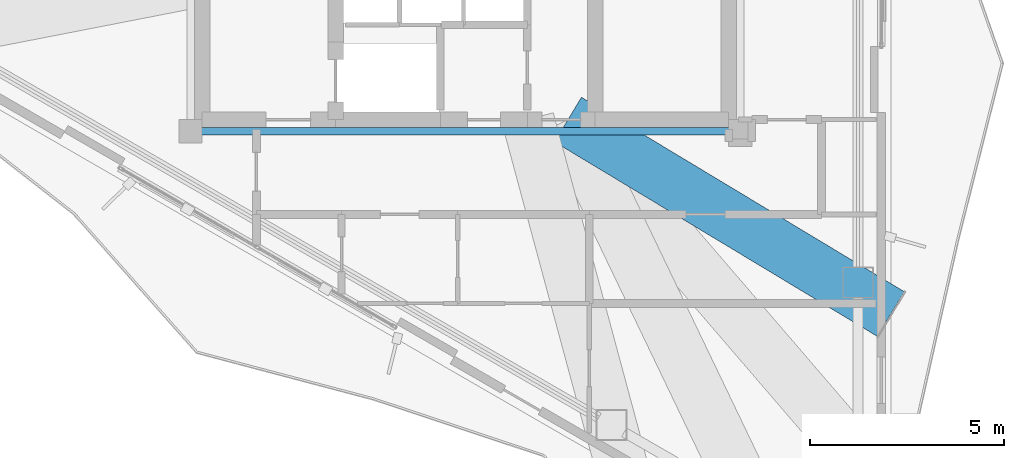
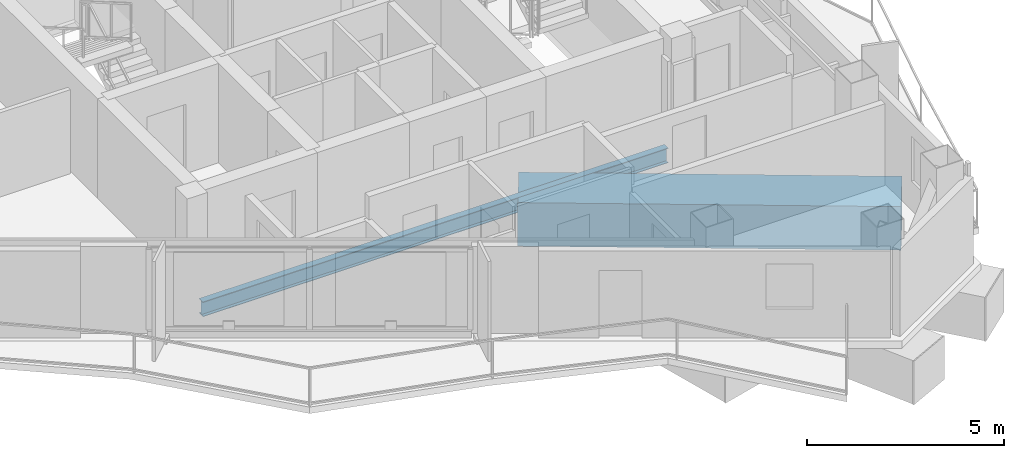
# One storey, part 5 of 17: 2 beams.
"""IFC4 building model written with IfcOpenShell, lengths in metres."""

from ifc_helpers import new_model, si_unit, direction, frame, origin, origin_2d, place, context, subcontext, project, spatial, hollow_rectangle, i_section, extrude, material, material_profile, profile_set, type_object, element, save


model = new_model("IFC4")

# Units and contexts
model_context = context("Model", 3, precision=1e-05, world=origin(), true_north=direction((0.0, 1.0)))
body_context = subcontext(model_context, "Body", "Model", "MODEL_VIEW")
ifc_project = project(units=[si_unit("LENGTHUNIT", "METRE"), si_unit("AREAUNIT", "SQUARE_METRE"), si_unit("VOLUMEUNIT", "CUBIC_METRE"), si_unit("PLANEANGLEUNIT", "RADIAN"), si_unit("MASSUNIT", "GRAM", prefix="KILO")], contexts=[model_context])

# Site, building, storey
site_placement = place(None, origin())
site = spatial("IfcSite", under=ifc_project, at=site_placement, CompositionType="ELEMENT")
building_placement = place(site_placement, origin())
building = spatial("IfcBuilding", under=site, at=building_placement, Name="Mersakhor Tower and Convention Hall", CompositionType="ELEMENT")
storey_placement = place(building_placement, frame((0.0, 0.0, 223.199951171875)))
storey = spatial("IfcBuildingStorey", under=building, at=storey_placement, Name="L62", CompositionType="ELEMENT", Elevation=223.199951171875)

# Beams
ifc_material_1 = material(Name="Steel S355", Category="steel")
ifc_material_profile_1 = material_profile(ifc_material_1, i_section(OverallWidth=0.19140625, OverallDepth=0.4599609375, WebThickness=0.010009765625, FlangeThickness=0.01611328125, at=origin_2d()), Name="UB 457x191x82")
ifc_profile_set_1 = profile_set([ifc_material_profile_1], Name="Steel S355")
beam_type_1 = type_object("IfcBeamType", Name="BM-FB-457", PredefinedType="BEAM", material=ifc_profile_set_1)
beam_1_placement = place(storey_placement, frame((35.820068359375, 20.449951171875, -0.449951171875), z_axis=(-1.0, 0.0, 0.0), x_axis=(0.0, -1.0, 0.0)))
element("IfcBeam", 1, at=beam_1_placement, inside=storey, type_object=beam_type_1, Name="L62 Core Ring Tie Beam CRB-4", PredefinedType="BEAM", context=body_context, shape_type="SweptSolid", body=[
    extrude(i_section(OverallWidth=0.19140625, OverallDepth=0.4599609375, WebThickness=0.010009765625, FlangeThickness=0.01611328125, at=origin_2d()), origin(), (0.0, 0.0, 1.0), 13.64013671875),
])
ifc_material_2 = material(Name="Steel S460", Category="steel")
ifc_material_profile_2 = material_profile(ifc_material_2, hollow_rectangle(XDim=1.35009765625, YDim=1.35009765625, WallThickness=0.035888671875, at=origin_2d()), Name="SHS 1350x1350x36")
ifc_profile_set_2 = profile_set([ifc_material_profile_2], Name="Steel S460")
beam_type_2 = type_object("IfcBeamType", Name="BM-TR-BOX1350", PredefinedType="BEAM", material=ifc_profile_set_2)
beam_2_placement = place(storey_placement, frame((39.98828125, 15.727294921875, -0.89501953125), z_axis=(-0.856599803951, 0.515981371631, 0.0), x_axis=(-0.515981371631, -0.856599803951, 0.0)))
element("IfcBeam", 2, at=beam_2_placement, inside=storey, type_object=beam_type_2, Name="L62 Taper Step Transfer Girder STG-07", PredefinedType="BEAM", context=body_context, shape_type="SweptSolid", body=[
    extrude(hollow_rectangle(XDim=1.35009765625, YDim=1.35009765625, WallThickness=0.035888671875, at=origin_2d()), origin(), (0.0, 0.0, 1.0), 9.734375),
])

save(model, "model.ifc")
